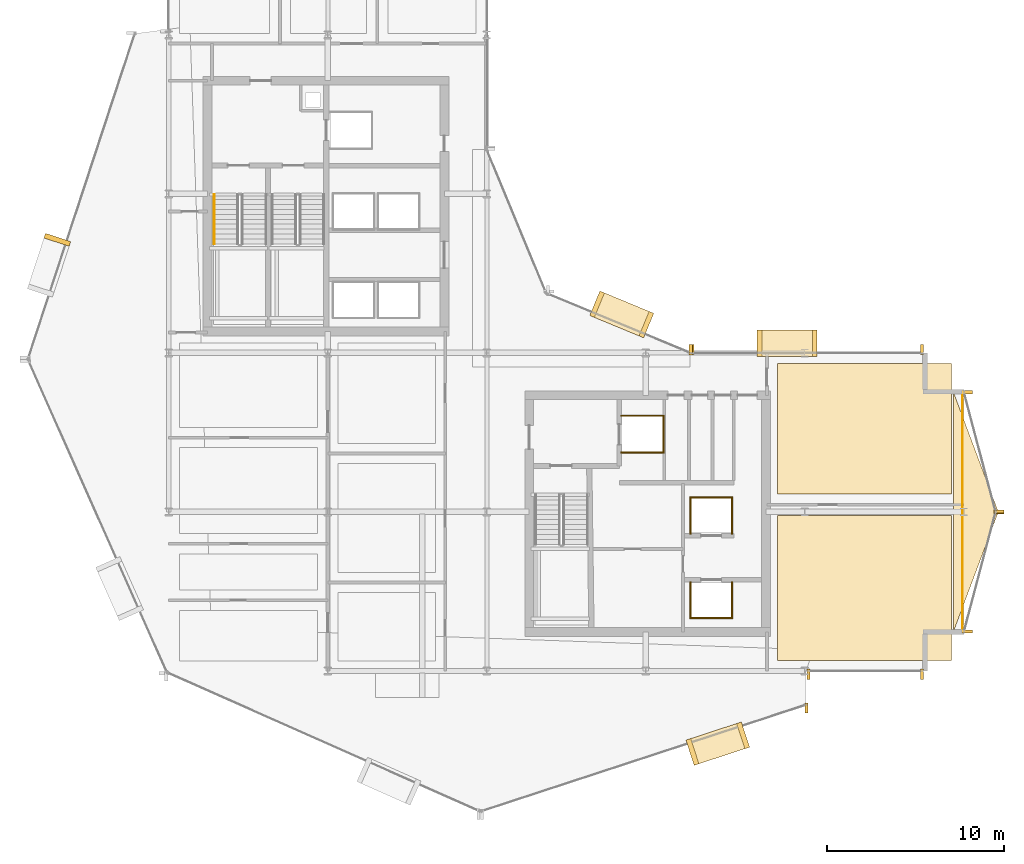
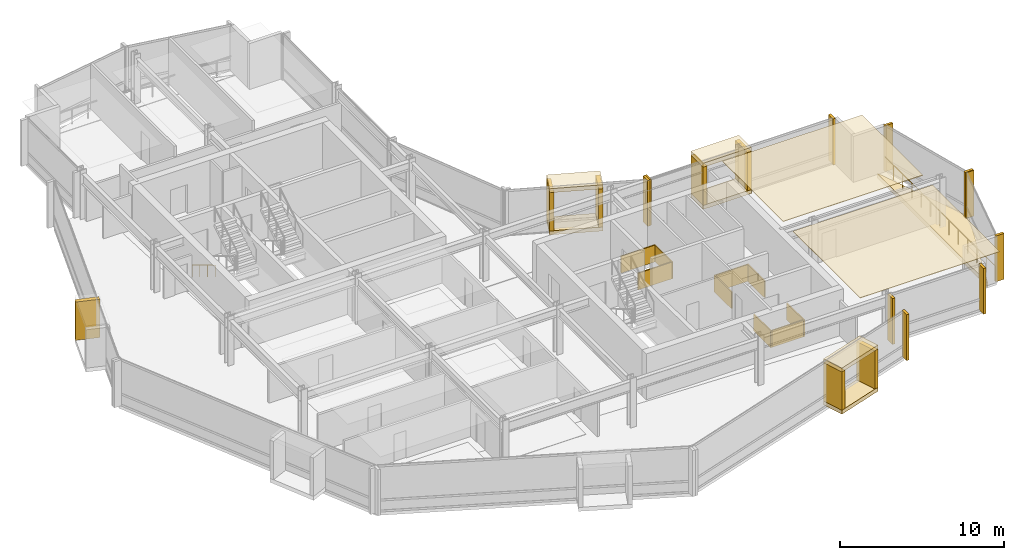
# One storey, part 27 of 28: 35 coverings, 2 railings.
"""IFC4 building model written with IfcOpenShell, lengths in metres."""

from ifc_helpers import new_model, si_unit, direction, frame, origin, origin_2d, place, context, subcontext, project, spatial, polyline, rectangle, circle, outline, extrude, material, layer, layer_set, type_object, element, save


model = new_model("IFC4")

# Units and contexts
model_context = context("Model", 3, precision=1e-05, world=origin(), true_north=direction((0.0, 1.0)))
body_context = subcontext(model_context, "Body", "Model", "MODEL_VIEW")
ifc_project = project(units=[si_unit("LENGTHUNIT", "METRE"), si_unit("AREAUNIT", "SQUARE_METRE"), si_unit("VOLUMEUNIT", "CUBIC_METRE"), si_unit("PLANEANGLEUNIT", "RADIAN"), si_unit("MASSUNIT", "GRAM", prefix="KILO")], contexts=[model_context])

# Site, building, storey
site_placement = place(None, origin())
site = spatial("IfcSite", under=ifc_project, at=site_placement, CompositionType="ELEMENT")
building_placement = place(site_placement, origin())
building = spatial("IfcBuilding", under=site, at=building_placement, Name="Solvaryn Broadcast Tower", CompositionType="ELEMENT")
storey_placement = place(building_placement, frame((0.0, 0.0, 135.89990234375)))
storey = spatial("IfcBuildingStorey", under=building, at=storey_placement, Name="L33", CompositionType="ELEMENT", Elevation=135.89990234375)

# Coverings
ifc_material_1 = material(Name="Micro-Perforated Acoustic Gypsum Ceiling", Category="concrete")
ifc_layer_1 = layer(ifc_material_1, 0.0400390625)
ifc_layer_set_1 = layer_set([ifc_layer_1], Name="CV-CEIL-ACOUSTIC")
covering_type_1 = type_object("IfcCoveringType", Name="CV-CEIL-ACOUSTIC", PredefinedType="CEILING", material=ifc_layer_set_1)
covering_1_placement = place(storey_placement, frame((0.0, 0.0, 3.380126953125)))
element("IfcCovering", 1, at=covering_1_placement, inside=storey, type_object=covering_type_1, Name="L33 Room Acoustic Ceiling 11", PredefinedType="CEILING", context=body_context, shape_type="SweptSolid", body=[
    extrude(outline(polyline([(43.449951171875, 9.60009765625), (53.300048828125, 9.60009765625), (53.300048828125, 17.800048828125), (43.449951171875, 17.800048828125), (43.449951171875, 9.60009765625)])), origin(), (0.0, 0.0, 1.0), 0.0400390625),
])
covering_2_placement = place(storey_placement, frame((0.0, 0.0, 3.380126953125)))
element("IfcCovering", 2, at=covering_2_placement, inside=storey, type_object=covering_type_1, Name="L33 Room Acoustic Ceiling 12", PredefinedType="CEILING", context=body_context, shape_type="SweptSolid", body=[
    extrude(outline(polyline([(43.449951171875, 19.0), (53.300048828125, 19.0), (53.300048828125, 26.39990234375), (43.449951171875, 26.39990234375), (43.449951171875, 19.0)])), origin(), (0.0, 0.0, 1.0), 0.0400390625),
])
ifc_material_2 = material(Name="Fire-Rated Gypsum Shaftwall Liner", Category="concrete")
ifc_layer_2 = layer(ifc_material_2, 0.080078125)
ifc_layer_set_2 = layer_set([ifc_layer_2], Name="CV-SHAFT-LINER")
covering_type_2 = type_object("IfcCoveringType", Name="CV-SHAFT-LINER", PredefinedType="CLADDING", material=ifc_layer_set_2)
for number, where, z_axis, x_axis, name in (
    (3, (35.800048828125, 23.43994140625, 0.0), (0.0, 0.0, 1.0), (1.0, 0.0, 0.0), "L33 FL2 Hoistway Shaft Liner North"),
    (4, (35.800048828125, 21.360107421875, 0.0), (0.0, 0.0, 1.0), (1.0, 0.0, 0.0), "L33 FL2 Hoistway Shaft Liner South"),
):
    element("IfcCovering", number, at=place(storey_placement, frame(where, z_axis=z_axis, x_axis=x_axis)), inside=storey, type_object=covering_type_2, Name=name, PredefinedType="CLADDING", context=body_context, shape_type="SweptSolid", body=[
        extrude(rectangle(XDim=2.4599609375, YDim=0.080078125, at=origin_2d()), origin(), (0.0, 0.0, 1.0), 1.25),
    ])
covering_3_placement = place(storey_placement, frame((36.989990234375, 22.39990234375, 0.0), z_axis=(0.0, 0.0, 1.0), x_axis=(1.0, 0.0, 0.0)))
element("IfcCovering", 5, at=covering_3_placement, inside=storey, type_object=covering_type_2, Name="L33 FL2 Hoistway Shaft Liner East", PredefinedType="CLADDING", context=body_context, shape_type="SweptSolid", body=[
    extrude(rectangle(XDim=0.080078125, YDim=2.159912109375, at=origin_2d()), origin(), (0.0, 0.0, 1.0), 1.25),
])
covering_4_placement = place(storey_placement, frame((39.699951171875, 11.985107421875, 0.0), z_axis=(0.0, 0.0, 1.0), x_axis=(1.0, 0.0, 0.0)))
element("IfcCovering", 6, at=covering_4_placement, inside=storey, type_object=covering_type_2, Name="L33 PM1 Hoistway Shaft Liner South", PredefinedType="CLADDING", context=body_context, shape_type="SweptSolid", body=[
    extrude(rectangle(XDim=2.409912109375, YDim=0.080078125, at=origin_2d()), origin(), (0.0, 0.0, 1.0), 1.25),
])
for number, where, z_axis, x_axis, name in (
    (7, (40.864990234375, 13.0, 0.0), (0.0, 0.0, 1.0), (1.0, 0.0, 0.0), "L33 PM1 Hoistway Shaft Liner East"),
    (8, (38.534912109375, 13.0, 0.0), (0.0, 0.0, 1.0), (1.0, 0.0, 0.0), "L33 PM1 Hoistway Shaft Liner West"),
):
    element("IfcCovering", number, at=place(storey_placement, frame(where, z_axis=z_axis, x_axis=x_axis)), inside=storey, type_object=covering_type_2, Name=name, PredefinedType="CLADDING", context=body_context, shape_type="SweptSolid", body=[
        extrude(rectangle(XDim=0.080078125, YDim=2.110107421875, at=origin_2d()), origin(), (0.0, 0.0, 1.0), 1.25),
    ])
covering_5_placement = place(storey_placement, frame((39.699951171875, 18.81494140625, 0.0), z_axis=(0.0, 0.0, 1.0), x_axis=(1.0, 0.0, 0.0)))
element("IfcCovering", 9, at=covering_5_placement, inside=storey, type_object=covering_type_2, Name="L33 PM2 Hoistway Shaft Liner North", PredefinedType="CLADDING", context=body_context, shape_type="SweptSolid", body=[
    extrude(rectangle(XDim=2.409912109375, YDim=0.080078125, at=origin_2d()), origin(), (0.0, 0.0, 1.0), 1.25),
])
for number, where, z_axis, x_axis, name in (
    (10, (40.864990234375, 17.800048828125, 0.0), (0.0, 0.0, 1.0), (1.0, 0.0, 0.0), "L33 PM2 Hoistway Shaft Liner East"),
    (11, (38.534912109375, 17.800048828125, 0.0), (0.0, 0.0, 1.0), (1.0, 0.0, 0.0), "L33 PM2 Hoistway Shaft Liner West"),
):
    element("IfcCovering", number, at=place(storey_placement, frame(where, z_axis=z_axis, x_axis=x_axis)), inside=storey, type_object=covering_type_2, Name=name, PredefinedType="CLADDING", context=body_context, shape_type="SweptSolid", body=[
        extrude(rectangle(XDim=0.080078125, YDim=2.110107421875, at=origin_2d()), origin(), (0.0, 0.0, 1.0), 1.25),
    ])
ifc_material_3 = material(Name="Glazed Architectural Terracotta Rainscreen Cladding", Category="masonry")
ifc_layer_3 = layer(ifc_material_3, 0.280029296875)
ifc_layer_set_3 = layer_set([ifc_layer_3], Name="CV-TC-CLAD")
covering_type_3 = type_object("IfcCoveringType", Name="CV-TC-CLAD", PredefinedType="CLADDING", material=ifc_layer_set_3)
covering_6_placement = place(storey_placement, frame((2.693603515625, 33.396728515625, 0.2802734375), z_axis=(0.0, 0.0, 1.0), x_axis=(-0.311671636848, -0.950189870912, 0.0)))
element("IfcCovering", 12, at=covering_6_placement, inside=storey, type_object=covering_type_3, Name="L33 Projecting Stone Window Box Cheek 1-1", PredefinedType="CLADDING", context=body_context, shape_type="SweptSolid", body=[
    extrude(rectangle(XDim=0.280029296875, YDim=1.5, at=origin_2d()), origin(), (0.0, 0.0, 1.0), 2.860107421875),
])
for number, where, z_axis, x_axis, name in (
    (13, (40.071044921875, 4.883056640625, 3.1298828125), (0.0, 0.0, 1.0), (0.950189870912, 0.311671636848, 0.0), "L33 Projecting Stone Window Box Hood 4"),
    (14, (40.071044921875, 4.883056640625, -0.009765625), (0.0, 0.0, 1.0), (0.950189870912, 0.311671636848, 0.0), "L33 Projecting Stone Window Box Sill 4"),
):
    element("IfcCovering", number, at=place(storey_placement, frame(where, z_axis=z_axis, x_axis=x_axis)), inside=storey, type_object=covering_type_3, Name=name, PredefinedType="CLADDING", context=body_context, shape_type="SweptSolid", body=[
        extrude(rectangle(XDim=3.300048828125, YDim=1.5, at=origin_2d()), origin(), (0.0, 0.0, 1.0), 0.300048828125),
    ])
for number, where, z_axis, x_axis, name in (
    (15, (38.63623046875, 4.412353515625, 0.2802734375), (0.0, 0.0, 1.0), (0.950189870912, 0.311671636848, 0.0), "L33 Projecting Stone Window Box Cheek 4-1"),
    (16, (41.505859375, 5.353515625, 0.2802734375), (0.0, 0.0, 1.0), (0.950189870912, 0.311671636848, 0.0), "L33 Projecting Stone Window Box Cheek 4-2"),
):
    element("IfcCovering", number, at=place(storey_placement, frame(where, z_axis=z_axis, x_axis=x_axis)), inside=storey, type_object=covering_type_3, Name=name, PredefinedType="CLADDING", context=body_context, shape_type="SweptSolid", body=[
        extrude(rectangle(XDim=0.280029296875, YDim=1.5, at=origin_2d()), origin(), (0.0, 0.0, 1.0), 2.860107421875),
    ])
for number, where, z_axis, x_axis, name in (
    (17, (34.636962890625, 29.174072265625, 3.1298828125), (0.0, 0.0, 1.0), (-0.923879532511, 0.382683432365, 0.0), "L33 Projecting Stone Window Box Hood 5"),
    (18, (34.636962890625, 29.174072265625, -0.009765625), (0.0, 0.0, 1.0), (-0.923879532511, 0.382683432365, 0.0), "L33 Projecting Stone Window Box Sill 5"),
):
    element("IfcCovering", number, at=place(storey_placement, frame(where, z_axis=z_axis, x_axis=x_axis)), inside=storey, type_object=covering_type_3, Name=name, PredefinedType="CLADDING", context=body_context, shape_type="SweptSolid", body=[
        extrude(rectangle(XDim=3.300048828125, YDim=1.5, at=origin_2d()), origin(), (0.0, 0.0, 1.0), 0.300048828125),
    ])
for number, where, z_axis, x_axis, name in (
    (19, (36.031982421875, 28.59619140625, 0.2802734375), (0.0, 0.0, 1.0), (-0.923879532511, 0.382683432365, 0.0), "L33 Projecting Stone Window Box Cheek 5-1"),
    (20, (33.241943359375, 29.751953125, 0.2802734375), (0.0, 0.0, 1.0), (-0.923879532511, 0.382683432365, 0.0), "L33 Projecting Stone Window Box Cheek 5-2"),
):
    element("IfcCovering", number, at=place(storey_placement, frame(where, z_axis=z_axis, x_axis=x_axis)), inside=storey, type_object=covering_type_3, Name=name, PredefinedType="CLADDING", context=body_context, shape_type="SweptSolid", body=[
        extrude(rectangle(XDim=0.280029296875, YDim=1.5, at=origin_2d()), origin(), (0.0, 0.0, 1.0), 2.860107421875),
    ])
for number, where, z_axis, x_axis, name in (
    (21, (44.0, 27.530029296875, 3.1298828125), (0.0, 0.0, 1.0), (1.0, 0.0, 0.0), "L33 Projecting Stone Window Box Hood 6"),
    (22, (44.0, 27.530029296875, -0.009765625), (0.0, 0.0, 1.0), (1.0, 0.0, 0.0), "L33 Projecting Stone Window Box Sill 6"),
):
    element("IfcCovering", number, at=place(storey_placement, frame(where, z_axis=z_axis, x_axis=x_axis)), inside=storey, type_object=covering_type_3, Name=name, PredefinedType="CLADDING", context=body_context, shape_type="SweptSolid", body=[
        extrude(rectangle(XDim=3.39990234375, YDim=1.5, at=origin_2d()), origin(), (0.0, 0.0, 1.0), 0.300048828125),
    ])
for number, where, z_axis, x_axis, name in (
    (23, (42.43994140625, 27.530029296875, 0.2802734375), (0.0, 0.0, 1.0), (1.0, 0.0, 0.0), "L33 Projecting Stone Window Box Cheek 6-1"),
    (24, (45.56005859375, 27.530029296875, 0.2802734375), (0.0, 0.0, 1.0), (1.0, 0.0, 0.0), "L33 Projecting Stone Window Box Cheek 6-2"),
):
    element("IfcCovering", number, at=place(storey_placement, frame(where, z_axis=z_axis, x_axis=x_axis)), inside=storey, type_object=covering_type_3, Name=name, PredefinedType="CLADDING", context=body_context, shape_type="SweptSolid", body=[
        extrude(rectangle(XDim=0.280029296875, YDim=1.5, at=origin_2d()), origin(), (0.0, 0.0, 1.0), 2.860107421875),
    ])
ifc_material_4 = material(Name="Extruded Architectural Terracotta Fin", Category="masonry")
ifc_layer_4 = layer(ifc_material_4, 0.179931640625)
ifc_layer_set_4 = layer_set([ifc_layer_4], Name="CV-TC-FIN")
covering_type_4 = type_object("IfcCoveringType", Name="CV-TC-FIN", PredefinedType="USERDEFINED", material=ifc_layer_set_4)
for number, where, z_axis, x_axis, name in (
    (25, (45.0947265625, 6.898681640625, 0.000244140625), (0.0, 0.0, 1.0), (1.0, 0.0, 0.0), "L33 Terracotta Vertical Fin FIN-L33-DR4-M01"),
    (26, (38.541259765625, 27.177978515625, 0.000244140625), (0.0, 0.0, 1.0), (1.0, 0.0, 0.0), "L33 Terracotta Vertical Fin FIN-L33-CN1-M00"),
    (27, (45.197021484375, 8.8125, 0.000244140625), (0.0, 0.0, 1.0), (1.0, 0.0, 0.0), "L33 Terracotta Vertical Fin FIN-L33-S2-M00"),
    (28, (51.6201171875, 8.8125, 0.000244140625), (0.0, 0.0, 1.0), (1.0, 0.0, 0.0), "L33 Terracotta Vertical Fin FIN-L33-S2-M01"),
):
    element("IfcCovering", number, at=place(storey_placement, frame(where, z_axis=z_axis, x_axis=x_axis)), inside=storey, type_object=covering_type_4, Name=name, ObjectType="FIN", PredefinedType="USERDEFINED", context=body_context, shape_type="SweptSolid", body=[
        extrude(rectangle(XDim=0.179931640625, YDim=0.580078125, at=origin_2d()), origin(), (0.0, 0.0, 1.0), 3.419921875),
    ])
for number, where, z_axis, x_axis, name in (
    (29, (54.1953125, 24.77099609375, 0.000244140625), (0.0, 0.0, 1.0), (1.0, 0.0, 0.0), "L33 Terracotta Vertical Fin FIN-L33-ET1-M00"),
    (30, (55.979736328125, 18.029052734375, 0.000244140625), (0.0, 0.0, 1.0), (1.0, 0.0, 0.0), "L33 Terracotta Vertical Fin FIN-L33-ET1-M01"),
    (31, (55.979736328125, 17.970947265625, 0.000244140625), (0.0, 0.0, 1.0), (1.0, 0.0, 0.0), "L33 Terracotta Vertical Fin FIN-L33-ET2-M00"),
    (32, (54.1953125, 11.22900390625, 0.000244140625), (0.0, 0.0, 1.0), (1.0, 0.0, 0.0), "L33 Terracotta Vertical Fin FIN-L33-ET2-M01"),
):
    element("IfcCovering", number, at=place(storey_placement, frame(where, z_axis=z_axis, x_axis=x_axis)), inside=storey, type_object=covering_type_4, Name=name, ObjectType="FIN", PredefinedType="USERDEFINED", context=body_context, shape_type="SweptSolid", body=[
        extrude(rectangle(XDim=0.580078125, YDim=0.179931640625, at=origin_2d()), origin(), (0.0, 0.0, 1.0), 3.419921875),
    ])
for number, where, z_axis, x_axis, name in (
    (33, (38.6298828125, 27.1875, 0.000244140625), (0.0, 0.0, 1.0), (1.0, 0.0, 0.0), "L33 Terracotta Vertical Fin FIN-L33-IH-M00"),
    (34, (51.6201171875, 27.1875, 0.000244140625), (0.0, 0.0, 1.0), (1.0, 0.0, 0.0), "L33 Terracotta Vertical Fin FIN-L33-IH-M01"),
):
    element("IfcCovering", number, at=place(storey_placement, frame(where, z_axis=z_axis, x_axis=x_axis)), inside=storey, type_object=covering_type_4, Name=name, ObjectType="FIN", PredefinedType="USERDEFINED", context=body_context, shape_type="SweptSolid", body=[
        extrude(rectangle(XDim=0.179931640625, YDim=0.580078125, at=origin_2d()), origin(), (0.0, 0.0, 1.0), 3.419921875),
    ])
ifc_material_5 = material(Name="Sculpted Architectural Terracotta Wave Fascia", Category="masonry")
ifc_layer_5 = layer(ifc_material_5, 0.340087890625)
ifc_layer_set_5 = layer_set([ifc_layer_5], Name="CV-WAVE-TRAY")
covering_type_5 = type_object("IfcCoveringType", Name="CV-WAVE-TRAY", PredefinedType="CLADDING", material=ifc_layer_set_5)
covering_7_placement = place(storey_placement, frame((0.0, 0.0, -0.2998046875)))
element("IfcCovering", 35, at=covering_7_placement, inside=storey, type_object=covering_type_5, Name="L33 East Curved Wing Deck", PredefinedType="CLADDING", context=body_context, shape_type="SweptSolid", body=[
    extrude(outline(polyline([(53.39990234375, 11.199951171875), (55.949951171875, 18.0), (53.39990234375, 24.800048828125), (53.39990234375, 11.199951171875)])), origin(), (0.0, 0.0, 1.0), 0.329833984375),
])

# Railings
ifc_material_6 = material(Name="Brushed Stainless Steel Tubular Handrail", Category="steel")
railing_type_1 = type_object("IfcRailingType", Name="RL-STAIR-HANDRAIL", PredefinedType="HANDRAIL", material=ifc_material_6)
railing_1_placement = place(storey_placement, frame((11.570068359375, 35.9599609375, 0.168212890625)))
element("IfcRailing", 36, at=railing_1_placement, inside=storey, type_object=railing_type_1, Name="L33 ST1 stair handrail 1", PredefinedType="HANDRAIL", context=body_context, shape_type="SweptSolid", body=[
    extrude(circle(Radius=0.02392578125, at=origin_2d()), frame((0.0, 0.0, 0.8759765625), z_axis=(0.0, -0.857242210791, 0.514913383045), x_axis=(1.0, 0.0, 0.0)), (0.0, 0.0, 1.0), 3.266357421875),
    extrude(circle(Radius=0.02099609375, at=origin_2d()), origin(), (0.0, 0.0, 1.0), 0.851806640625),
    extrude(circle(Radius=0.02099609375, at=origin_2d()), frame((0.0, -0.933349609375, 0.560546875)), (0.0, 0.0, 1.0), 0.851806640625),
    extrude(circle(Radius=0.02099609375, at=origin_2d()), frame((0.0, -1.86669921875, 1.121337890625)), (0.0, 0.0, 1.0), 0.851806640625),
    extrude(circle(Radius=0.02099609375, at=origin_2d()), frame((0.0, -2.800048828125, 1.681884765625)), (0.0, 0.0, 1.0), 0.851806640625),
])
ifc_material_7 = material(Name="Stainless Steel and Laminated Glass Guard", Category="steel")
railing_type_2 = type_object("IfcRailingType", Name="RL-TER-1150", PredefinedType="BALUSTRADE", material=ifc_material_7)
railing_2_placement = place(storey_placement, frame((53.919921875, 11.199951171875, 0.0)))
element("IfcRailing", 37, at=railing_2_placement, inside=storey, type_object=railing_type_2, Name="L33 East Wing Spandrel Edge Guard", PredefinedType="BALUSTRADE", context=body_context, shape_type="SweptSolid", body=[
    extrude(circle(Radius=0.02392578125, at=origin_2d()), frame((0.0, 0.0, 1.1259765625), z_axis=(0.0, 1.0, 0.0), x_axis=(-1.0, 0.0, 0.0)), (0.0, 0.0, 1.0), 13.60009765625),
    extrude(circle(Radius=0.02099609375, at=origin_2d()), origin(), (0.0, 0.0, 1.0), 1.101806640625),
    extrude(circle(Radius=0.02099609375, at=origin_2d()), frame((0.0, 1.13330078125, 0.0)), (0.0, 0.0, 1.0), 1.101806640625),
    extrude(circle(Radius=0.02099609375, at=origin_2d()), frame((0.0, 2.2666015625, 0.0)), (0.0, 0.0, 1.0), 1.101806640625),
    extrude(circle(Radius=0.02099609375, at=origin_2d()), frame((0.0, 3.39990234375, 0.0)), (0.0, 0.0, 1.0), 1.101806640625),
    extrude(circle(Radius=0.02099609375, at=origin_2d()), frame((0.0, 4.533447265625, 0.0)), (0.0, 0.0, 1.0), 1.101806640625),
    extrude(circle(Radius=0.02099609375, at=origin_2d()), frame((0.0, 5.666748046875, 0.0)), (0.0, 0.0, 1.0), 1.101806640625),
    extrude(circle(Radius=0.02099609375, at=origin_2d()), frame((0.0, 6.800048828125, 0.0)), (0.0, 0.0, 1.0), 1.101806640625),
    extrude(circle(Radius=0.02099609375, at=origin_2d()), frame((0.0, 7.933349609375, 0.0)), (0.0, 0.0, 1.0), 1.101806640625),
    extrude(circle(Radius=0.02099609375, at=origin_2d()), frame((0.0, 9.066650390625, 0.0)), (0.0, 0.0, 1.0), 1.101806640625),
    extrude(circle(Radius=0.02099609375, at=origin_2d()), frame((0.0, 10.2001953125, 0.0)), (0.0, 0.0, 1.0), 1.101806640625),
    extrude(circle(Radius=0.02099609375, at=origin_2d()), frame((0.0, 11.33349609375, 0.0)), (0.0, 0.0, 1.0), 1.101806640625),
    extrude(circle(Radius=0.02099609375, at=origin_2d()), frame((0.0, 12.466796875, 0.0)), (0.0, 0.0, 1.0), 1.101806640625),
    extrude(circle(Radius=0.02099609375, at=origin_2d()), frame((0.0, 13.60009765625, 0.0)), (0.0, 0.0, 1.0), 1.101806640625),
])

save(model, "model.ifc")
